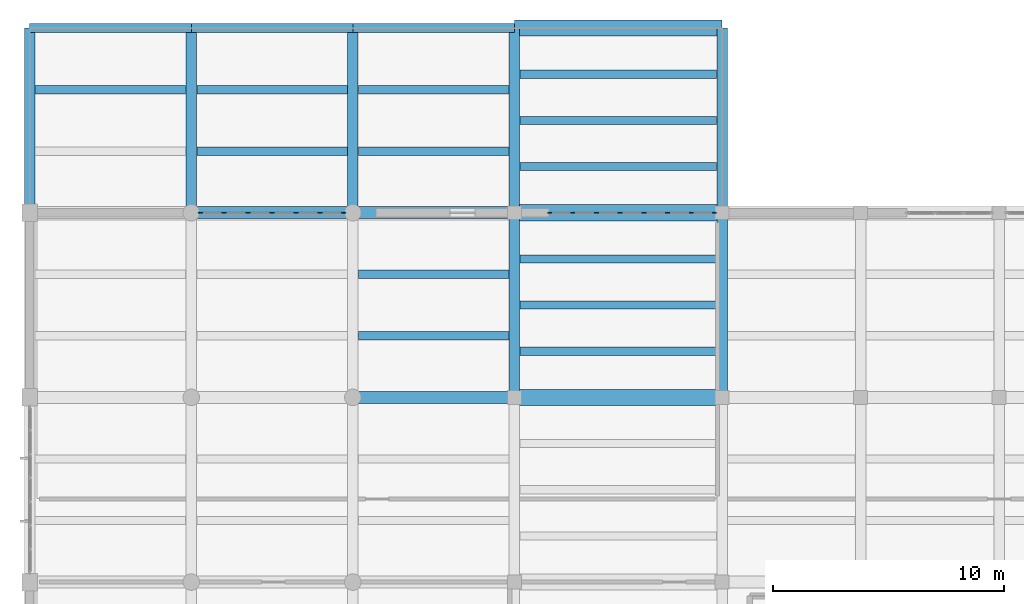
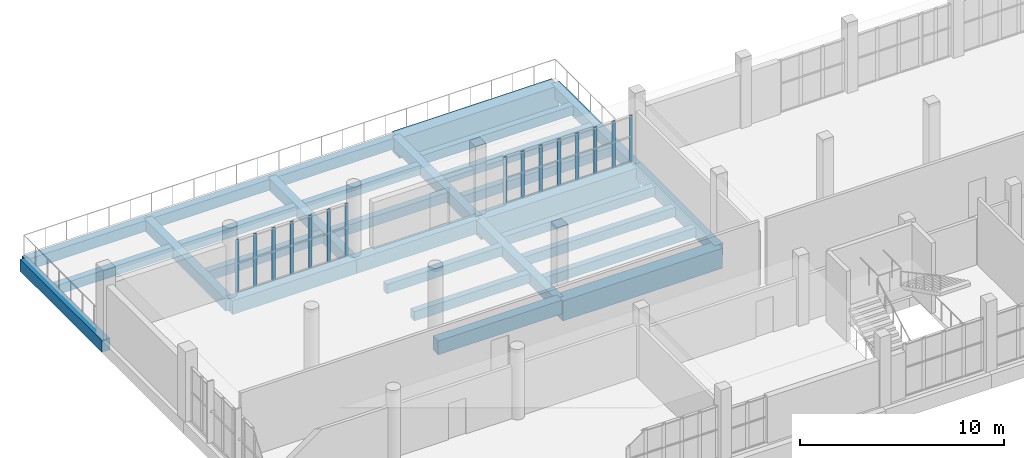
# One storey, part 24 of 85: 29 beams, 15 members, 2 elements without a shape of their own.
"""IFC4 building model written with IfcOpenShell, lengths in metres."""

import ifcopenshell
import ifcopenshell.guid

model = None  # the IFC model being written
_history = None  # IfcOwnerHistory: only IFC2X3 demands one
_inside = {}  # id of a spatial element -> (the spatial element, [elements in it])
_under = {}  # id of a project, library or spatial element -> (it, [spatial elements below it])
_declared = {}  # id of a project -> (the project, [libraries it declares])
_typed = {}  # id of a type object -> (the type object, [elements of that type])
_made_of = {}  # id of a material, layer set ... -> (it, [elements and type objects made of it])


def new_model(schema):
    """Start an empty IFC model of exactly this schema.

    Asked for "IFC4X3", IfcOpenShell would pick the latest addendum, in which some entities
    have other attributes; the version numbers below select the first issue.
    IFC2X3 requires an IfcOwnerHistory on every rooted entity: one is made here for all.
    """
    global model, _history
    if schema == "IFC4X3":
        model = ifcopenshell.file(schema_version=(4, 3, 0, 0))
    else:
        model = ifcopenshell.file(schema=schema)
    _inside.clear()
    _under.clear()
    _declared.clear()
    _typed.clear()
    _made_of.clear()
    _history = None
    if model.schema == "IFC2X3":
        org = make("IfcOrganization", Name="unknown")
        user = make(
            "IfcPersonAndOrganization",
            ThePerson=make("IfcPerson", FamilyName="unknown"),
            TheOrganization=org,
        )
        app = make(
            "IfcApplication",
            ApplicationDeveloper=org,
            Version="unknown",
            ApplicationFullName="unknown",
            ApplicationIdentifier="unknown",
        )
        _history = make(
            "IfcOwnerHistory",
            OwningUser=user,
            OwningApplication=app,
            ChangeAction="ADDED",
            CreationDate=0,
        )
    return model


def make(cls, **values):
    """One entity of the class cls with the attributes given. An attribute that is None is left unset."""
    return model.create_entity(
        cls, **{name: value for name, value in values.items() if value is not None}
    )


def rooted(cls, **values):
    """An entity with a GlobalId (a new one), such as an element, a storey or a relation."""
    return make(cls, GlobalId=ifcopenshell.guid.new(), OwnerHistory=_history, **values)


def si_unit(unit_type, name, prefix=None):
    """IfcSIUnit, for example si_unit("LENGTHUNIT", "METRE", prefix="MILLI")."""
    return make("IfcSIUnit", UnitType=unit_type, Prefix=prefix, Name=name)


def assignment(units):
    """IfcUnitAssignment: the units of a project."""
    return None if units is None else make("IfcUnitAssignment", Units=units)


def point(xyz):
    """IfcCartesianPoint."""
    return None if xyz is None else make("IfcCartesianPoint", Coordinates=xyz)


def direction(xyz):
    """IfcDirection."""
    return None if xyz is None else make("IfcDirection", DirectionRatios=xyz)


def frame(location, z_axis=None, x_axis=None):
    """IfcAxis2Placement3D, a coordinate frame: its origin and axes. An axis left out is left unset."""
    return make(
        "IfcAxis2Placement3D",
        Location=point(location),
        Axis=direction(z_axis),
        RefDirection=direction(x_axis),
    )


def frame_2d(location, x_axis=None):
    """IfcAxis2Placement2D, a coordinate frame in the plane: its origin and x axis."""
    return make(
        "IfcAxis2Placement2D", Location=point(location), RefDirection=direction(x_axis)
    )


def origin():
    """The frame at (0, 0, 0) with its axes left unset."""
    return frame((0.0, 0.0, 0.0))


def origin_2d():
    """The frame at (0, 0) in the plane with its x axis left unset."""
    return frame_2d((0.0, 0.0))


def place(relative_to, where):
    """IfcLocalPlacement: puts the frame where relative to a parent placement (None: the world)."""
    return make(
        "IfcLocalPlacement", PlacementRelTo=relative_to, RelativePlacement=where
    )


def context(
    kind, dimensions, precision=None, world=None, true_north=None, identifier=None
):
    """IfcGeometricRepresentationContext, for example the 3D "Model" context."""
    return make(
        "IfcGeometricRepresentationContext",
        ContextIdentifier=identifier,
        ContextType=kind,
        CoordinateSpaceDimension=dimensions,
        Precision=precision,
        WorldCoordinateSystem=world,
        TrueNorth=true_north,
    )


def subcontext(parent, identifier, kind, view, scale=None):
    """IfcGeometricRepresentationSubContext, for example "Body" below "Model"."""
    return make(
        "IfcGeometricRepresentationSubContext",
        ContextIdentifier=identifier,
        ContextType=kind,
        ParentContext=parent,
        TargetScale=scale,
        TargetView=view,
    )


def project(units=None, contexts=None):
    """IfcProject with its units and contexts."""
    return rooted(
        "IfcProject",
        Name="project",
        RepresentationContexts=contexts,
        UnitsInContext=assignment(units),
    )


def spatial(cls, under=None, at=None, **own):
    """A site, building, storey or space (cls), placed at a placement, below another one or the project."""
    s = rooted(cls, ObjectPlacement=at, **own)
    if under is not None:
        _under.setdefault(under.id(), (under, []))[1].append(s)
    return s


def profile(cls, at=None, kind="AREA", **sizes):
    """A parametric profile (cls). Its sizes go by their IFC names, for example OverallWidth=200.0."""
    return make(cls, ProfileType=kind, Position=at, **sizes)


def rectangle(**sizes):
    """IfcRectangleProfileDef."""
    return profile("IfcRectangleProfileDef", **sizes)


def extrude(swept, where, along, depth):
    """IfcExtrudedAreaSolid: the profile swept, set in the frame where, extruded along a direction by depth."""
    return make(
        "IfcExtrudedAreaSolid",
        SweptArea=swept,
        Position=where,
        ExtrudedDirection=direction(along),
        Depth=depth,
    )


def shape(context_of_items, identifier, shape_type, items):
    """IfcShapeRepresentation: the items that make up one representation, for example the "Body"."""
    return make(
        "IfcShapeRepresentation",
        ContextOfItems=context_of_items,
        RepresentationIdentifier=identifier,
        RepresentationType=shape_type,
        Items=items,
    )


def material(Name=None, Category=None):
    """IfcMaterial."""
    return make("IfcMaterial", Name=Name, Category=Category)


def layer(
    of_material, thickness, ventilated=None, Name=None, Category=None, Priority=None
):
    """IfcMaterialLayer: one layer of a wall or slab, of a material (None: an air gap)."""
    return make(
        "IfcMaterialLayer",
        Material=of_material,
        LayerThickness=thickness,
        IsVentilated=ventilated,
        Name=Name,
        Category=Category,
        Priority=Priority,
    )


def layer_set(layers, Name=None):
    """IfcMaterialLayerSet."""
    return make("IfcMaterialLayerSet", MaterialLayers=layers, LayerSetName=Name)


def material_profile(
    of_material, cross_section, Name=None, Category=None, Priority=None
):
    """IfcMaterialProfile: a cross section and its material."""
    return make(
        "IfcMaterialProfile",
        Name=Name,
        Material=of_material,
        Profile=cross_section,
        Priority=Priority,
        Category=Category,
    )


def profile_set(profiles, Name=None, composite=None):
    """IfcMaterialProfileSet."""
    return make(
        "IfcMaterialProfileSet",
        Name=Name,
        MaterialProfiles=profiles,
        CompositeProfile=composite,
    )


def made_of(thing, what):
    """Note that an element or type object is made of a material, layer set ...; save() writes the relation."""
    if what is not None:
        _made_of.setdefault(what.id(), (what, []))[1].append(thing)
    return thing


def type_object(cls, material=None, **own):
    """A type object (cls), such as IfcWallType, which elements share."""
    return made_of(rooted(cls, **own), material)


def element(
    cls,
    number,
    at=None,
    inside=None,
    cuts=None,
    type_object=None,
    material=None,
    context=None,
    identifier="Body",
    shape_type=None,
    held_by="IfcProductDefinitionShape",
    body=None,
    shapes=None,
    **own,
):
    """One element of the class cls, such as IfcWall. Its Tag is "e" and its number.

    at: its placement. inside: the storey or other place that contains it. cuts: it is an
    opening in that element (IfcRelVoidsElement). A single representation is given by context,
    identifier, shape_type and body (its items); several are given by shapes. held_by: the class
    of the entity that holds the representations. save() writes the other relations.
    """
    e = rooted(cls, Tag="e%d" % number, ObjectPlacement=at, **own)
    if body is not None:
        shapes = [shape(context, identifier, shape_type, body)]
    if shapes is not None:
        e.Representation = make(held_by, Representations=shapes)
    if inside is not None:
        _inside.setdefault(inside.id(), (inside, []))[1].append(e)
    if cuts is not None:
        rooted(
            "IfcRelVoidsElement", RelatingBuildingElement=cuts, RelatedOpeningElement=e
        )
    if type_object is not None:
        _typed.setdefault(type_object.id(), (type_object, []))[1].append(e)
    return made_of(e, material)


def aggregate(whole, parts):
    """IfcRelAggregates: a whole, such as a stair, and the parts it consists of."""
    return rooted("IfcRelAggregates", RelatingObject=whole, RelatedObjects=parts)


def save(model, path):
    """Write the relations noted so far, then the file.

    IfcRelAggregates (storeys below a building ...), IfcRelContainedInSpatialStructure (elements
    in a storey), IfcRelDefinesByType, IfcRelAssociatesMaterial and IfcRelDeclares: one each for
    every whole, place, type object, material and project.
    """
    for whole, parts in _under.values():
        aggregate(whole, parts)
    for where, things in _inside.values():
        rooted(
            "IfcRelContainedInSpatialStructure",
            RelatedElements=things,
            RelatingStructure=where,
        )
    for kind, things in _typed.values():
        rooted("IfcRelDefinesByType", RelatedObjects=things, RelatingType=kind)
    for what, things in _made_of.values():
        rooted("IfcRelAssociatesMaterial", RelatedObjects=things, RelatingMaterial=what)
    for by, libraries in _declared.values():
        rooted("IfcRelDeclares", RelatingContext=by, RelatedDefinitions=libraries)
    model.write(path)


model = new_model("IFC4")

# Units and contexts
model_context = context("Model", 3, precision=1e-05, world=origin(), true_north=direction((0.0, 1.0)))
body_context = subcontext(model_context, "Body", "Model", "MODEL_VIEW")
ifc_project = project(units=[si_unit("LENGTHUNIT", "METRE"), si_unit("AREAUNIT", "SQUARE_METRE"), si_unit("VOLUMEUNIT", "CUBIC_METRE"), si_unit("PLANEANGLEUNIT", "RADIAN"), si_unit("MASSUNIT", "GRAM", prefix="KILO")], contexts=[model_context])

# Site, building, storey
site_placement = place(None, origin())
site = spatial("IfcSite", under=ifc_project, at=site_placement, CompositionType="ELEMENT")
building_placement = place(site_placement, origin())
building = spatial("IfcBuilding", under=site, at=building_placement, Name="Solvane Community Centre", CompositionType="ELEMENT")
storey_placement = place(building_placement, frame((0.0, 0.0, 5.39990234375)))
storey = spatial("IfcBuildingStorey", under=building, at=storey_placement, Name="L01", CompositionType="ELEMENT", Elevation=5.39990234375)

# Curtain wall, members
ifc_material_1 = material(Name="Anodised bronze aluminium AW-6063 T6", Category="aluminium")
ifc_layer_1 = layer(ifc_material_1, 0.18994140625)
ifc_layer_set_1 = layer_set([ifc_layer_1], Name="Anodised bronze aluminium AW-6063 T6")
curtain_wall_type_1 = type_object("IfcCurtainWallType", Name="Boulevard Bronze Vision Curtain Wall [62x31dm]", PredefinedType="NOTDEFINED", material=ifc_layer_set_1)
curtain_wall_1_placement = place(storey_placement, origin())
curtain_wall_1 = element("IfcCurtainWall", 1, at=curtain_wall_1_placement, inside=storey, type_object=curtain_wall_type_1, Name="Curtain Wall CW-L01-134_1100-086", PredefinedType="NOTDEFINED")
ifc_material_profile_1 = material_profile(ifc_material_1, rectangle(XDim=0.06005859375, YDim=0.18994140625, at=origin_2d()), Name="CW-M 60x190")
ifc_profile_set_1 = profile_set([ifc_material_profile_1], Name="Anodised bronze aluminium AW-6063 T6")
member_type = type_object("IfcMemberType", Name="Boulevard Mullion 60x190", PredefinedType="MULLION", material=ifc_profile_set_1)
member_1_placement = place(storey_placement, frame((13.405029296875, 110.0, 0.0), z_axis=(0.0, 0.0, 1.0), x_axis=(0.0, 1.0, 0.0)))
member_1 = element("IfcMember", 2, at=member_1_placement, type_object=member_type, Name="CW02-62x31 mullion 1", PredefinedType="MULLION", context=body_context, shape_type="SweptSolid", body=[
    extrude(rectangle(XDim=0.06005859375, YDim=0.18994140625, at=origin_2d()), origin(), (0.0, 0.0, 1.0), 3.135009765625),
])
member_2_placement = place(storey_placement, frame((14.416748046875, 110.0, 0.0), z_axis=(0.0, 0.0, 1.0), x_axis=(0.0, 1.0, 0.0)))
member_2 = element("IfcMember", 3, at=member_2_placement, type_object=member_type, Name="CW02-62x31 mullion 2", PredefinedType="MULLION", context=body_context, shape_type="SweptSolid", body=[
    extrude(rectangle(XDim=0.06005859375, YDim=0.18994140625, at=origin_2d()), origin(), (0.0, 0.0, 1.0), 3.135009765625),
])
member_3_placement = place(storey_placement, frame((15.458251953125, 110.0, 0.0), z_axis=(0.0, 0.0, 1.0), x_axis=(0.0, 1.0, 0.0)))
member_3 = element("IfcMember", 4, at=member_3_placement, type_object=member_type, Name="CW02-62x31 mullion 3", PredefinedType="MULLION", context=body_context, shape_type="SweptSolid", body=[
    extrude(rectangle(XDim=0.06005859375, YDim=0.18994140625, at=origin_2d()), origin(), (0.0, 0.0, 1.0), 3.135009765625),
])
member_4_placement = place(storey_placement, frame((16.5, 110.0, 0.0), z_axis=(0.0, 0.0, 1.0), x_axis=(0.0, 1.0, 0.0)))
member_4 = element("IfcMember", 5, at=member_4_placement, type_object=member_type, Name="CW02-62x31 mullion 4", PredefinedType="MULLION", context=body_context, shape_type="SweptSolid", body=[
    extrude(rectangle(XDim=0.06005859375, YDim=0.18994140625, at=origin_2d()), origin(), (0.0, 0.0, 1.0), 3.135009765625),
])
member_5_placement = place(storey_placement, frame((17.541748046875, 110.0, 0.0), z_axis=(0.0, 0.0, 1.0), x_axis=(0.0, 1.0, 0.0)))
member_5 = element("IfcMember", 6, at=member_5_placement, type_object=member_type, Name="CW02-62x31 mullion 5", PredefinedType="MULLION", context=body_context, shape_type="SweptSolid", body=[
    extrude(rectangle(XDim=0.06005859375, YDim=0.18994140625, at=origin_2d()), origin(), (0.0, 0.0, 1.0), 3.135009765625),
])
member_6_placement = place(storey_placement, frame((18.583251953125, 110.0, 0.0), z_axis=(0.0, 0.0, 1.0), x_axis=(0.0, 1.0, 0.0)))
member_6 = element("IfcMember", 7, at=member_6_placement, type_object=member_type, Name="CW02-62x31 mullion 6", PredefinedType="MULLION", context=body_context, shape_type="SweptSolid", body=[
    extrude(rectangle(XDim=0.06005859375, YDim=0.18994140625, at=origin_2d()), origin(), (0.0, 0.0, 1.0), 3.135009765625),
])
member_7_placement = place(storey_placement, frame((19.594970703125, 110.0, 0.0), z_axis=(0.0, 0.0, 1.0), x_axis=(0.0, 1.0, 0.0)))
member_7 = element("IfcMember", 8, at=member_7_placement, type_object=member_type, Name="CW02-62x31 mullion 7", PredefinedType="MULLION", context=body_context, shape_type="SweptSolid", body=[
    extrude(rectangle(XDim=0.06005859375, YDim=0.18994140625, at=origin_2d()), origin(), (0.0, 0.0, 1.0), 3.135009765625),
])
aggregate(curtain_wall_1, [member_1, member_2, member_3, member_4, member_5, member_6, member_7])

ifc_layer_2 = layer(ifc_material_1, 0.18994140625)
ifc_layer_set_2 = layer_set([ifc_layer_2], Name="Anodised bronze aluminium AW-6063 T6")
curtain_wall_type_2 = type_object("IfcCurtainWallType", Name="Boulevard Bronze Vision Curtain Wall [72x28dm]", PredefinedType="NOTDEFINED", material=ifc_layer_set_2)
curtain_wall_2_placement = place(storey_placement, origin())
curtain_wall_2 = element("IfcCurtainWall", 9, at=curtain_wall_2_placement, inside=storey, type_object=curtain_wall_type_2, Name="Curtain Wall CW-L01-285_1100-087", PredefinedType="NOTDEFINED")
member_8_placement = place(storey_placement, frame((28.530029296875, 110.0, 0.0), z_axis=(0.0, 0.0, 1.0), x_axis=(0.0, 1.0, 0.0)))
member_8 = element("IfcMember", 10, at=member_8_placement, type_object=member_type, Name="CW02-72x28 mullion 1", PredefinedType="MULLION", context=body_context, shape_type="SweptSolid", body=[
    extrude(rectangle(XDim=0.06005859375, YDim=0.18994140625, at=origin_2d()), origin(), (0.0, 0.0, 1.0), 2.76513671875),
])
member_9_placement = place(storey_placement, frame((29.5263671875, 110.0, 0.0), z_axis=(0.0, 0.0, 1.0), x_axis=(0.0, 1.0, 0.0)))
member_9 = element("IfcMember", 11, at=member_9_placement, type_object=member_type, Name="CW02-72x28 mullion 2", PredefinedType="MULLION", context=body_context, shape_type="SweptSolid", body=[
    extrude(rectangle(XDim=0.06005859375, YDim=0.18994140625, at=origin_2d()), origin(), (0.0, 0.0, 1.0), 2.76513671875),
])
member_10_placement = place(storey_placement, frame((30.552978515625, 110.0, 0.0), z_axis=(0.0, 0.0, 1.0), x_axis=(0.0, 1.0, 0.0)))
member_10 = element("IfcMember", 12, at=member_10_placement, type_object=member_type, Name="CW02-72x28 mullion 3", PredefinedType="MULLION", context=body_context, shape_type="SweptSolid", body=[
    extrude(rectangle(XDim=0.06005859375, YDim=0.18994140625, at=origin_2d()), origin(), (0.0, 0.0, 1.0), 2.76513671875),
])
member_11_placement = place(storey_placement, frame((31.579345703125, 110.0, 0.0), z_axis=(0.0, 0.0, 1.0), x_axis=(0.0, 1.0, 0.0)))
member_11 = element("IfcMember", 13, at=member_11_placement, type_object=member_type, Name="CW02-72x28 mullion 4", PredefinedType="MULLION", context=body_context, shape_type="SweptSolid", body=[
    extrude(rectangle(XDim=0.06005859375, YDim=0.18994140625, at=origin_2d()), origin(), (0.0, 0.0, 1.0), 2.76513671875),
])
member_12_placement = place(storey_placement, frame((32.605712890625, 110.0, 0.0), z_axis=(0.0, 0.0, 1.0), x_axis=(0.0, 1.0, 0.0)))
member_12 = element("IfcMember", 14, at=member_12_placement, type_object=member_type, Name="CW02-72x28 mullion 5", PredefinedType="MULLION", context=body_context, shape_type="SweptSolid", body=[
    extrude(rectangle(XDim=0.06005859375, YDim=0.18994140625, at=origin_2d()), origin(), (0.0, 0.0, 1.0), 2.76513671875),
])
member_13_placement = place(storey_placement, frame((33.632080078125, 110.0, 0.0), z_axis=(0.0, 0.0, 1.0), x_axis=(0.0, 1.0, 0.0)))
member_13 = element("IfcMember", 15, at=member_13_placement, type_object=member_type, Name="CW02-72x28 mullion 6", PredefinedType="MULLION", context=body_context, shape_type="SweptSolid", body=[
    extrude(rectangle(XDim=0.06005859375, YDim=0.18994140625, at=origin_2d()), origin(), (0.0, 0.0, 1.0), 2.76513671875),
])
member_14_placement = place(storey_placement, frame((34.65869140625, 110.0, 0.0), z_axis=(0.0, 0.0, 1.0), x_axis=(0.0, 1.0, 0.0)))
member_14 = element("IfcMember", 16, at=member_14_placement, type_object=member_type, Name="CW02-72x28 mullion 7", PredefinedType="MULLION", context=body_context, shape_type="SweptSolid", body=[
    extrude(rectangle(XDim=0.06005859375, YDim=0.18994140625, at=origin_2d()), origin(), (0.0, 0.0, 1.0), 2.76513671875),
])
member_15_placement = place(storey_placement, frame((35.655029296875, 110.0, 0.0), z_axis=(0.0, 0.0, 1.0), x_axis=(0.0, 1.0, 0.0)))
member_15 = element("IfcMember", 17, at=member_15_placement, type_object=member_type, Name="CW02-72x28 mullion 8", PredefinedType="MULLION", context=body_context, shape_type="SweptSolid", body=[
    extrude(rectangle(XDim=0.06005859375, YDim=0.18994140625, at=origin_2d()), origin(), (0.0, 0.0, 1.0), 2.76513671875),
])
aggregate(curtain_wall_2, [member_8, member_9, member_10, member_11, member_12, member_13, member_14, member_15])

# Beams
ifc_material_2 = material(Name="Concrete C35/45", Category="concrete")
ifc_material_profile_2 = material_profile(ifc_material_2, rectangle(XDim=0.449951171875, YDim=0.699951171875, at=origin_2d()), Name="RC 450x700")
ifc_profile_set_2 = profile_set([ifc_material_profile_2], Name="Concrete C35/45")
beam_type_1 = type_object("IfcBeamType", Name="RC Floor Beam 450x700", PredefinedType="BEAM", material=ifc_profile_set_2)
for number, where, z_axis, x_axis, name in (
    (18, (6.0, 110.0, -0.58984375), (0.0, 1.0, 0.0), (-1.0, 0.0, 0.0), "Beam BM-L01-60_1100-60_1180"),
    (19, (13.0, 110.0, -0.58984375), (0.0, 1.0, 0.0), (-1.0, 0.0, 0.0), "Beam BM-L01-130_1100-130_1180"),
    (20, (20.0, 110.0, -0.58984375), (0.0, 1.0, 0.0), (-1.0, 0.0, 0.0), "Beam BM-L01-200_1100-200_1180"),
    (21, (27.0, 102.0, -0.58984375), (0.0, 1.0, 0.0), (-1.0, 0.0, 0.0), "Beam BM-L01-270_1020-270_1100"),
    (22, (27.0, 110.0, -0.58984375), (0.0, 1.0, 0.0), (-1.0, 0.0, 0.0), "Beam BM-L01-270_1100-270_1180"),
    (23, (36.0, 102.0, -0.58984375), (0.0, 1.0, 0.0), (-1.0, 0.0, 0.0), "Beam BM-L01-360_1020-360_1100"),
    (24, (36.0, 110.0, -0.58984375), (0.0, 1.0, 0.0), (-1.0, 0.0, 0.0), "Beam BM-L01-360_1100-360_1180"),
):
    element("IfcBeam", number, at=place(storey_placement, frame(where, z_axis=z_axis, x_axis=x_axis)), inside=storey, type_object=beam_type_1, Name=name, PredefinedType="BEAM", context=body_context, shape_type="SweptSolid", body=[
        extrude(rectangle(XDim=0.449951171875, YDim=0.699951171875, at=origin_2d()), origin(), (0.0, 0.0, 1.0), 8.0),
    ])
ifc_material_profile_3 = material_profile(ifc_material_2, rectangle(XDim=0.52001953125, YDim=0.830078125, at=origin_2d()), Name="RC 520x830")
ifc_profile_set_3 = profile_set([ifc_material_profile_3], Name="Concrete C35/45")
beam_type_2 = type_object("IfcBeamType", Name="RC Medium Girder 520x830", PredefinedType="USERDEFINED", material=ifc_profile_set_3)
for number, where, z_axis, x_axis, name in (
    (25, (20.0, 102.0, -0.65478515625), (1.0, 0.0, 0.0), (0.0, 1.0, 0.0), "Beam BM-L01-200_1020-270_1020"),
    (26, (13.0, 110.0, -0.65478515625), (1.0, 0.0, 0.0), (0.0, 1.0, 0.0), "Beam BM-L01-130_1100-200_1100"),
    (27, (20.0, 110.0, -0.65478515625), (1.0, 0.0, 0.0), (0.0, 1.0, 0.0), "Beam BM-L01-200_1100-270_1100"),
):
    element("IfcBeam", number, at=place(storey_placement, frame(where, z_axis=z_axis, x_axis=x_axis)), inside=storey, type_object=beam_type_2, Name=name, ObjectType="GIRDER", PredefinedType="USERDEFINED", context=body_context, shape_type="SweptSolid", body=[
        extrude(rectangle(XDim=0.52001953125, YDim=0.830078125, at=origin_2d()), origin(), (0.0, 0.0, 1.0), 7.0),
    ])
ifc_material_profile_4 = material_profile(ifc_material_2, rectangle(XDim=0.35009765625, YDim=0.550048828125, at=origin_2d()), Name="RC 350x550")
ifc_profile_set_4 = profile_set([ifc_material_profile_4], Name="Concrete C35/45")
beam_type_3 = type_object("IfcBeamType", Name="RC Secondary Joist 350x550", PredefinedType="JOIST", material=ifc_profile_set_4)
for number, where, z_axis, x_axis, name in (
    (28, (27.239990234375, 104.0, -0.514892578125), (1.0, 0.0, 0.0), (0.0, 1.0, 0.0), "Beam BM-L01-272_1040-358_1040"),
    (29, (27.239990234375, 106.0, -0.514892578125), (1.0, 0.0, 0.0), (0.0, 1.0, 0.0), "Beam BM-L01-272_1060-358_1060"),
    (30, (27.239990234375, 108.0, -0.514892578125), (1.0, 0.0, 0.0), (0.0, 1.0, 0.0), "Beam BM-L01-272_1080-358_1080"),
    (31, (27.239990234375, 112.0, -0.514892578125), (1.0, 0.0, 0.0), (0.0, 1.0, 0.0), "Beam BM-L01-272_1120-358_1120"),
    (32, (27.239990234375, 114.0, -0.514892578125), (1.0, 0.0, 0.0), (0.0, 1.0, 0.0), "Beam BM-L01-272_1140-358_1140"),
    (33, (27.239990234375, 116.0, -0.514892578125), (1.0, 0.0, 0.0), (0.0, 1.0, 0.0), "Beam BM-L01-272_1160-358_1160"),
):
    element("IfcBeam", number, at=place(storey_placement, frame(where, z_axis=z_axis, x_axis=x_axis)), inside=storey, type_object=beam_type_3, Name=name, PredefinedType="JOIST", context=body_context, shape_type="SweptSolid", body=[
        extrude(rectangle(XDim=0.35009765625, YDim=0.550048828125, at=origin_2d()), origin(), (0.0, 0.0, 1.0), 8.52001953125),
    ])
ifc_material_profile_5 = material_profile(ifc_material_2, rectangle(XDim=0.39990234375, YDim=0.64990234375, at=origin_2d()), Name="RC 400x650")
ifc_profile_set_5 = profile_set([ifc_material_profile_5], Name="Concrete C35/45")
beam_type_4 = type_object("IfcBeamType", Name="RC Spandrel Edge Beam 400x650", PredefinedType="SPANDREL", material=ifc_profile_set_5)
for number, where, z_axis, x_axis, name in (
    (34, (6.0, 118.0, -0.56494140625), (1.0, 0.0, 0.0), (0.0, 1.0, 0.0), "Beam BM-L01-60_1180-130_1180"),
    (35, (13.0, 118.0, -0.56494140625), (1.0, 0.0, 0.0), (0.0, 1.0, 0.0), "Beam BM-L01-130_1180-200_1180"),
    (36, (20.0, 118.0, -0.56494140625), (1.0, 0.0, 0.0), (0.0, 1.0, 0.0), "Beam BM-L01-200_1180-270_1180"),
):
    element("IfcBeam", number, at=place(storey_placement, frame(where, z_axis=z_axis, x_axis=x_axis)), inside=storey, type_object=beam_type_4, Name=name, PredefinedType="SPANDREL", context=body_context, shape_type="SweptSolid", body=[
        extrude(rectangle(XDim=0.39990234375, YDim=0.64990234375, at=origin_2d()), origin(), (0.0, 0.0, 1.0), 7.0),
    ])
ifc_material_profile_6 = material_profile(ifc_material_2, rectangle(XDim=0.360107421875, YDim=0.56005859375, at=origin_2d()), Name="RC 360x560")
ifc_profile_set_6 = profile_set([ifc_material_profile_6], Name="Concrete C35/45")
beam_type_5 = type_object("IfcBeamType", Name="RC Terrace Joist 360x560", PredefinedType="JOIST", material=ifc_profile_set_6)
for number, where, z_axis, x_axis, name in (
    (37, (6.239990234375, 115.333251953125, -0.52001953125), (1.0, 0.0, 0.0), (0.0, 1.0, 0.0), "Beam BM-L01-62_1153-128_1153"),
    (38, (13.239990234375, 112.666748046875, -0.52001953125), (1.0, 0.0, 0.0), (0.0, 1.0, 0.0), "Beam BM-L01-132_1127-198_1127"),
    (39, (13.239990234375, 115.333251953125, -0.52001953125), (1.0, 0.0, 0.0), (0.0, 1.0, 0.0), "Beam BM-L01-132_1153-198_1153"),
    (40, (20.239990234375, 104.666748046875, -0.52001953125), (1.0, 0.0, 0.0), (0.0, 1.0, 0.0), "Beam BM-L01-202_1047-268_1047"),
    (41, (20.239990234375, 107.333251953125, -0.52001953125), (1.0, 0.0, 0.0), (0.0, 1.0, 0.0), "Beam BM-L01-202_1073-268_1073"),
    (42, (20.239990234375, 112.666748046875, -0.52001953125), (1.0, 0.0, 0.0), (0.0, 1.0, 0.0), "Beam BM-L01-202_1127-268_1127"),
    (43, (20.239990234375, 115.333251953125, -0.52001953125), (1.0, 0.0, 0.0), (0.0, 1.0, 0.0), "Beam BM-L01-202_1153-268_1153"),
):
    element("IfcBeam", number, at=place(storey_placement, frame(where, z_axis=z_axis, x_axis=x_axis)), inside=storey, type_object=beam_type_5, Name=name, PredefinedType="JOIST", context=body_context, shape_type="SweptSolid", body=[
        extrude(rectangle(XDim=0.360107421875, YDim=0.56005859375, at=origin_2d()), origin(), (0.0, 0.0, 1.0), 6.52001953125),
    ])
ifc_material_profile_7 = material_profile(ifc_material_2, rectangle(XDim=0.699951171875, YDim=1.199951171875, at=origin_2d()), Name="RC 700x1200")
ifc_profile_set_7 = profile_set([ifc_material_profile_7], Name="Concrete C35/45")
beam_type_6 = type_object("IfcBeamType", Name="RC Transfer Girder 700x1200", PredefinedType="USERDEFINED", material=ifc_profile_set_7)
for number, where, z_axis, x_axis, name in (
    (44, (27.0, 102.0, -0.83984375), (1.0, 0.0, 0.0), (0.0, 1.0, 0.0), "Beam BM-L01-270_1020-360_1020"),
    (45, (27.0, 110.0, -0.83984375), (1.0, 0.0, 0.0), (0.0, 1.0, 0.0), "Beam BM-L01-270_1100-360_1100"),
    (46, (27.0, 118.0, -0.83984375), (1.0, 0.0, 0.0), (0.0, 1.0, 0.0), "Beam BM-L01-270_1180-360_1180"),
):
    element("IfcBeam", number, at=place(storey_placement, frame(where, z_axis=z_axis, x_axis=x_axis)), inside=storey, type_object=beam_type_6, Name=name, ObjectType="GIRDER", PredefinedType="USERDEFINED", context=body_context, shape_type="SweptSolid", body=[
        extrude(rectangle(XDim=0.699951171875, YDim=1.199951171875, at=origin_2d()), origin(), (0.0, 0.0, 1.0), 9.0),
    ])

save(model, "model.ifc")
